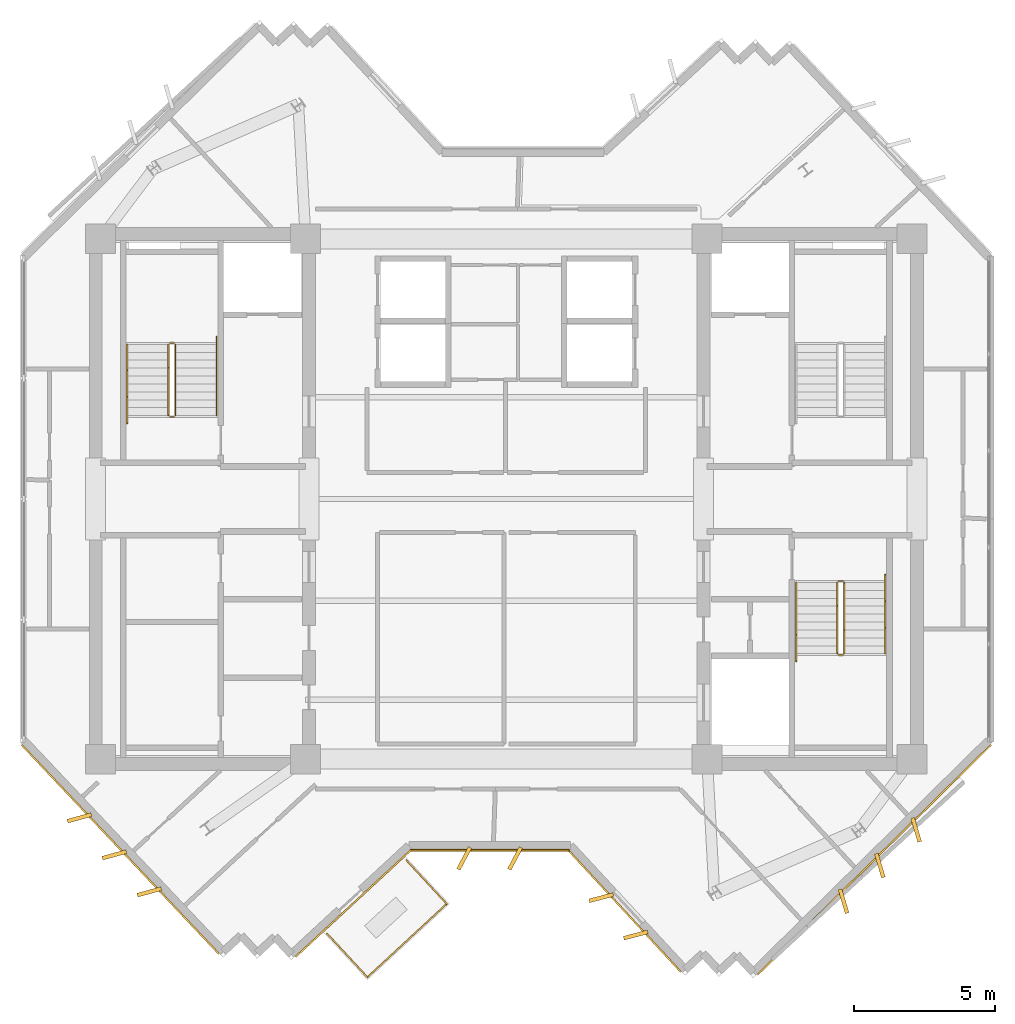
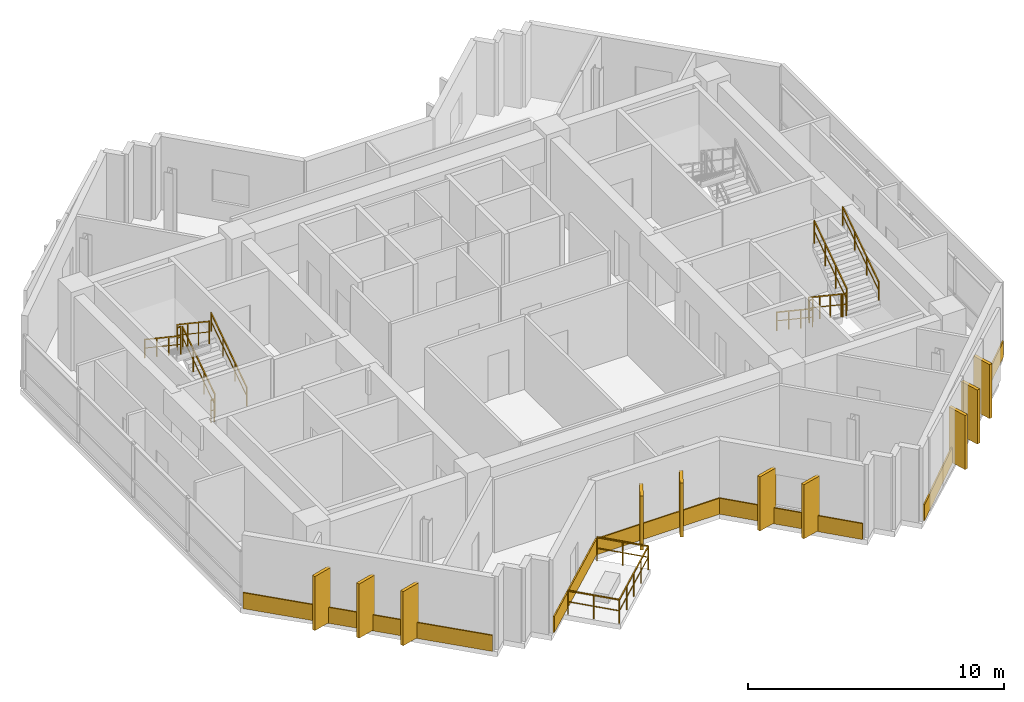
# One storey, part 8 of 9: 15 coverings, 15 railings.
"""IFC4 building model written with IfcOpenShell, lengths in metres."""

from ifc_helpers import new_model, si_unit, direction, frame, origin, origin_2d, place, context, subcontext, project, spatial, rectangle, extrude, source, transform, mapped, material, layer, layer_set, type_object, element, save


model = new_model("IFC4")

# Units and contexts
model_context = context("Model", 3, precision=1e-05, world=origin(), true_north=direction((0.0, 1.0)))
body_context = subcontext(model_context, "Body", "Model", "MODEL_VIEW")
ifc_project = project(units=[si_unit("LENGTHUNIT", "METRE"), si_unit("AREAUNIT", "SQUARE_METRE"), si_unit("VOLUMEUNIT", "CUBIC_METRE"), si_unit("PLANEANGLEUNIT", "RADIAN"), si_unit("MASSUNIT", "GRAM", prefix="KILO")], contexts=[model_context])

# Site, building, storey
site_placement = place(None, origin())
site = spatial("IfcSite", under=ifc_project, at=site_placement, CompositionType="ELEMENT")
building_placement = place(site_placement, origin())
building = spatial("IfcBuilding", under=site, at=building_placement, Name="Zahravan Cultural Tower", CompositionType="ELEMENT")
storey_placement = place(building_placement, frame((0.0, 0.0, 291.60009765625)))
storey = spatial("IfcBuildingStorey", under=building, at=storey_placement, Name="L70", CompositionType="ELEMENT", Elevation=291.60009765625)

# Railings
ifc_material_1 = material(Name="Steel ASTM A572 Grade 50", Category="steel")
railing_type_1 = type_object("IfcRailingType", Name="RL-BAL-1150", PredefinedType="BALUSTRADE", material=ifc_material_1)
railing_1_placement = place(storey_placement, frame((33.891845703125, 12.681640625, 0.0)))
element("IfcRailing", 1, at=railing_1_placement, inside=storey, type_object=railing_type_1, Name="L70 Edge Balustrade GRD-TR-L70-SW-01", PredefinedType="BALUSTRADE", context=body_context, shape_type="SweptSolid", body=[
    extrude(rectangle(XDim=0.05, YDim=0.05, at=origin_2d()), frame((0.0, 0.0, 1.125), z_axis=(-0.73411696243, -0.679023037512, 0.0), x_axis=(0.679023037512, -0.73411696243, 0.0)), (0.0, 0.0, 1.0), 3.81982421875),
    extrude(rectangle(XDim=0.032, YDim=0.032, at=origin_2d()), frame((0.0, 0.0, 0.597900390625), z_axis=(-0.73411696243, -0.679023037512, 0.0), x_axis=(0.679023037512, -0.73411696243, 0.0)), (0.0, 0.0, 1.0), 3.81982421875),
    extrude(rectangle(XDim=0.04, YDim=0.04, at=origin_2d()), origin(), (0.0, 0.0, 1.0), 1.14990234375),
    extrude(rectangle(XDim=0.04, YDim=0.04, at=origin_2d()), frame((-0.701171875, -0.6484375, 0.0)), (0.0, 0.0, 1.0), 1.14990234375),
    extrude(rectangle(XDim=0.04, YDim=0.04, at=origin_2d()), frame((-1.402099609375, -1.296875, 0.0)), (0.0, 0.0, 1.0), 1.14990234375),
    extrude(rectangle(XDim=0.04, YDim=0.04, at=origin_2d()), frame((-2.10302734375, -1.9453125, 0.0)), (0.0, 0.0, 1.0), 1.14990234375),
    extrude(rectangle(XDim=0.04, YDim=0.04, at=origin_2d()), frame((-2.80419921875, -2.59375, 0.0)), (0.0, 0.0, 1.0), 1.14990234375),
])
railing_2_placement = place(storey_placement, frame((31.087646484375, 10.087890625, 0.0)))
element("IfcRailing", 2, at=railing_2_placement, inside=storey, type_object=railing_type_1, Name="L70 Edge Balustrade GRD-TR-L70-SW-02", PredefinedType="BALUSTRADE", context=body_context, shape_type="SweptSolid", body=[
    extrude(rectangle(XDim=0.05, YDim=0.05, at=origin_2d()), frame((0.0, 0.0, 1.125), z_axis=(-0.679076439969, 0.73406756411, 0.0), x_axis=(-0.73406756411, -0.679076439969, 0.0)), (0.0, 0.0, 1.0), 2.099853515625),
    extrude(rectangle(XDim=0.032, YDim=0.032, at=origin_2d()), frame((0.0, 0.0, 0.597900390625), z_axis=(-0.679076439969, 0.73406756411, 0.0), x_axis=(-0.73406756411, -0.679076439969, 0.0)), (0.0, 0.0, 1.0), 2.099853515625),
    extrude(rectangle(XDim=0.04, YDim=0.04, at=origin_2d()), origin(), (0.0, 0.0, 1.0), 1.14990234375),
    extrude(rectangle(XDim=0.04, YDim=0.04, at=origin_2d()), frame((-0.712890625, 0.770751953125, 0.0)), (0.0, 0.0, 1.0), 1.14990234375),
    extrude(rectangle(XDim=0.04, YDim=0.04, at=origin_2d()), frame((-1.426025390625, 1.54150390625, 0.0)), (0.0, 0.0, 1.0), 1.14990234375),
])
railing_3_placement = place(storey_placement, frame((32.4658203125, 14.223388671875, 0.0)))
element("IfcRailing", 3, at=railing_3_placement, inside=storey, type_object=railing_type_1, Name="L70 Edge Balustrade GRD-TR-L70-SW-03", PredefinedType="BALUSTRADE", context=body_context, shape_type="SweptSolid", body=[
    extrude(rectangle(XDim=0.05, YDim=0.05, at=origin_2d()), frame((0.0, 0.0, 1.125), z_axis=(0.679018488434, -0.734121170084, 0.0), x_axis=(0.734121170084, 0.679018488434, 0.0)), (0.0, 0.0, 1.0), 2.10009765625),
    extrude(rectangle(XDim=0.032, YDim=0.032, at=origin_2d()), frame((0.0, 0.0, 0.597900390625), z_axis=(0.679018488434, -0.734121170084, 0.0), x_axis=(0.734121170084, 0.679018488434, 0.0)), (0.0, 0.0, 1.0), 2.10009765625),
    extrude(rectangle(XDim=0.04, YDim=0.04, at=origin_2d()), origin(), (0.0, 0.0, 1.0), 1.14990234375),
    extrude(rectangle(XDim=0.04, YDim=0.04, at=origin_2d()), frame((0.712890625, -0.77099609375, 0.0)), (0.0, 0.0, 1.0), 1.14990234375),
    extrude(rectangle(XDim=0.04, YDim=0.04, at=origin_2d()), frame((1.426025390625, -1.541748046875, 0.0)), (0.0, 0.0, 1.0), 1.14990234375),
])
railing_type_2 = type_object("IfcRailingType", Name="RL-STAIR-GRD1150", PredefinedType="BALUSTRADE", material=ifc_material_1)
railing_4_placement = place(storey_placement, frame((24.300048828125, 29.949951171875, 0.1875)))
element("IfcRailing", 4, at=railing_4_placement, inside=storey, type_object=railing_type_2, Name="L70 ST-W1 stair guard 1", PredefinedType="BALUSTRADE", context=body_context, shape_type="SweptSolid", body=[
    extrude(rectangle(XDim=0.05, YDim=0.05, at=origin_2d()), frame((0.0, 0.0, 1.0751953125), z_axis=(0.0, 0.830909170722, 0.55640807867), x_axis=(-1.0, 0.0, 0.0)), (0.0, 0.0, 1.0), 3.032958984375),
    extrude(rectangle(XDim=0.032, YDim=0.032, at=origin_2d()), frame((0.0, 0.0, 0.572021484375), z_axis=(0.0, 0.830909170722, 0.55640807867), x_axis=(-1.0, 0.0, 0.0)), (0.0, 0.0, 1.0), 3.032958984375),
    extrude(rectangle(XDim=0.04, YDim=0.04, at=origin_2d()), origin(), (0.0, 0.0, 1.0), 1.10009765625),
    extrude(rectangle(XDim=0.04, YDim=0.04, at=origin_2d()), frame((0.0, 0.840087890625, 0.5625)), (0.0, 0.0, 1.0), 1.10009765625),
    extrude(rectangle(XDim=0.04, YDim=0.04, at=origin_2d()), frame((0.0, 1.679931640625, 1.125)), (0.0, 0.0, 1.0), 1.10009765625),
    extrude(rectangle(XDim=0.04, YDim=0.04, at=origin_2d()), frame((0.0, 2.52001953125, 1.6875)), (0.0, 0.0, 1.0), 1.10009765625),
])
railing_5_placement = place(storey_placement, frame((24.25, 32.52001953125, 1.875)))
element("IfcRailing", 5, at=railing_5_placement, inside=storey, type_object=railing_type_2, Name="L70 ST-W1 stair guard 2", PredefinedType="BALUSTRADE", context=body_context, shape_type="SweptSolid", body=[
    extrude(rectangle(XDim=0.05, YDim=0.05, at=origin_2d()), frame((0.0, 0.0, 1.0751953125), z_axis=(-1.0, 0.0, 0.0), x_axis=(0.0, -1.0, 0.0)), (0.0, 0.0, 1.0), 0.14990234375),
    extrude(rectangle(XDim=0.032, YDim=0.032, at=origin_2d()), frame((0.0, 0.0, 0.572021484375), z_axis=(-1.0, 0.0, 0.0), x_axis=(0.0, -1.0, 0.0)), (0.0, 0.0, 1.0), 0.14990234375),
    extrude(rectangle(XDim=0.04, YDim=0.04, at=origin_2d()), origin(), (0.0, 0.0, 1.0), 1.10009765625),
    extrude(rectangle(XDim=0.04, YDim=0.04, at=origin_2d()), frame((-0.14990234375, 0.0, 0.0)), (0.0, 0.0, 1.0), 1.10009765625),
])
railing_6_placement = place(storey_placement, frame((24.050048828125, 32.469970703125, 2.0625)))
element("IfcRailing", 6, at=railing_6_placement, inside=storey, type_object=railing_type_2, Name="L70 ST-W1 stair guard 3", PredefinedType="BALUSTRADE", context=body_context, shape_type="SweptSolid", body=[
    extrude(rectangle(XDim=0.05, YDim=0.05, at=origin_2d()), frame((0.0, 0.0, 1.0751953125), z_axis=(0.0, -0.830909170722, 0.55640807867), x_axis=(1.0, 0.0, 0.0)), (0.0, 0.0, 1.0), 3.032958984375),
    extrude(rectangle(XDim=0.032, YDim=0.032, at=origin_2d()), frame((0.0, 0.0, 0.572021484375), z_axis=(0.0, -0.830909170722, 0.55640807867), x_axis=(1.0, 0.0, 0.0)), (0.0, 0.0, 1.0), 3.032958984375),
    extrude(rectangle(XDim=0.04, YDim=0.04, at=origin_2d()), origin(), (0.0, 0.0, 1.0), 1.10009765625),
    extrude(rectangle(XDim=0.04, YDim=0.04, at=origin_2d()), frame((0.0, -0.840087890625, 0.5625)), (0.0, 0.0, 1.0), 1.10009765625),
    extrude(rectangle(XDim=0.04, YDim=0.04, at=origin_2d()), frame((0.0, -1.679931640625, 1.125)), (0.0, 0.0, 1.0), 1.10009765625),
    extrude(rectangle(XDim=0.04, YDim=0.04, at=origin_2d()), frame((0.0, -2.52001953125, 1.6875)), (0.0, 0.0, 1.0), 1.10009765625),
])
railing_7_placement = place(storey_placement, frame((24.25, 29.89990234375, 0.0)))
element("IfcRailing", 7, at=railing_7_placement, inside=storey, type_object=railing_type_2, Name="L70 ST-W1 stair guard 4", PredefinedType="BALUSTRADE", context=body_context, shape_type="SweptSolid", body=[
    extrude(rectangle(XDim=0.05, YDim=0.05, at=origin_2d()), frame((0.0, 0.0, 1.0751953125), z_axis=(-1.0, 0.0, 0.0), x_axis=(0.0, -1.0, 0.0)), (0.0, 0.0, 1.0), 0.14990234375),
    extrude(rectangle(XDim=0.032, YDim=0.032, at=origin_2d()), frame((0.0, 0.0, 0.572021484375), z_axis=(-1.0, 0.0, 0.0), x_axis=(0.0, -1.0, 0.0)), (0.0, 0.0, 1.0), 0.14990234375),
    extrude(rectangle(XDim=0.04, YDim=0.04, at=origin_2d()), origin(), (0.0, 0.0, 1.0), 1.10009765625),
    extrude(rectangle(XDim=0.04, YDim=0.04, at=origin_2d()), frame((-0.14990234375, 0.0, 0.0)), (0.0, 0.0, 1.0), 1.10009765625),
])
railing_8_placement = place(storey_placement, frame((47.699951171875, 24.050048828125, 0.1875)))
element("IfcRailing", 8, at=railing_8_placement, inside=storey, type_object=railing_type_2, Name="L70 ST-E2 stair guard 1", PredefinedType="BALUSTRADE", context=body_context, shape_type="SweptSolid", body=[
    extrude(rectangle(XDim=0.05, YDim=0.05, at=origin_2d()), frame((0.0, 0.0, 1.0751953125), z_axis=(0.0, -0.830909170722, 0.55640807867), x_axis=(1.0, 0.0, 0.0)), (0.0, 0.0, 1.0), 3.032958984375),
    extrude(rectangle(XDim=0.032, YDim=0.032, at=origin_2d()), frame((0.0, 0.0, 0.572021484375), z_axis=(0.0, -0.830909170722, 0.55640807867), x_axis=(1.0, 0.0, 0.0)), (0.0, 0.0, 1.0), 3.032958984375),
    extrude(rectangle(XDim=0.04, YDim=0.04, at=origin_2d()), origin(), (0.0, 0.0, 1.0), 1.10009765625),
    extrude(rectangle(XDim=0.04, YDim=0.04, at=origin_2d()), frame((0.0, -0.840087890625, 0.5625)), (0.0, 0.0, 1.0), 1.10009765625),
    extrude(rectangle(XDim=0.04, YDim=0.04, at=origin_2d()), frame((0.0, -1.679931640625, 1.125)), (0.0, 0.0, 1.0), 1.10009765625),
    extrude(rectangle(XDim=0.04, YDim=0.04, at=origin_2d()), frame((0.0, -2.52001953125, 1.6875)), (0.0, 0.0, 1.0), 1.10009765625),
])
railing_9_placement = place(storey_placement, frame((47.75, 21.47998046875, 1.875)))
element("IfcRailing", 9, at=railing_9_placement, inside=storey, type_object=railing_type_2, Name="L70 ST-E2 stair guard 2", PredefinedType="BALUSTRADE", context=body_context, shape_type="SweptSolid", body=[
    extrude(rectangle(XDim=0.05, YDim=0.05, at=origin_2d()), frame((0.0, 0.0, 1.0751953125), z_axis=(1.0, 0.0, 0.0), x_axis=(0.0, 1.0, 0.0)), (0.0, 0.0, 1.0), 0.14990234375),
    extrude(rectangle(XDim=0.032, YDim=0.032, at=origin_2d()), frame((0.0, 0.0, 0.572021484375), z_axis=(1.0, 0.0, 0.0), x_axis=(0.0, 1.0, 0.0)), (0.0, 0.0, 1.0), 0.14990234375),
    extrude(rectangle(XDim=0.04, YDim=0.04, at=origin_2d()), origin(), (0.0, 0.0, 1.0), 1.10009765625),
    extrude(rectangle(XDim=0.04, YDim=0.04, at=origin_2d()), frame((0.14990234375, 0.0, 0.0)), (0.0, 0.0, 1.0), 1.10009765625),
])
railing_10_placement = place(storey_placement, frame((47.949951171875, 21.530029296875, 2.0625)))
element("IfcRailing", 10, at=railing_10_placement, inside=storey, type_object=railing_type_2, Name="L70 ST-E2 stair guard 3", PredefinedType="BALUSTRADE", context=body_context, shape_type="SweptSolid", body=[
    extrude(rectangle(XDim=0.05, YDim=0.05, at=origin_2d()), frame((0.0, 0.0, 1.0751953125), z_axis=(0.0, 0.830909170722, 0.55640807867), x_axis=(-1.0, 0.0, 0.0)), (0.0, 0.0, 1.0), 3.032958984375),
    extrude(rectangle(XDim=0.032, YDim=0.032, at=origin_2d()), frame((0.0, 0.0, 0.572021484375), z_axis=(0.0, 0.830909170722, 0.55640807867), x_axis=(-1.0, 0.0, 0.0)), (0.0, 0.0, 1.0), 3.032958984375),
    extrude(rectangle(XDim=0.04, YDim=0.04, at=origin_2d()), origin(), (0.0, 0.0, 1.0), 1.10009765625),
    extrude(rectangle(XDim=0.04, YDim=0.04, at=origin_2d()), frame((0.0, 0.840087890625, 0.5625)), (0.0, 0.0, 1.0), 1.10009765625),
    extrude(rectangle(XDim=0.04, YDim=0.04, at=origin_2d()), frame((0.0, 1.679931640625, 1.125)), (0.0, 0.0, 1.0), 1.10009765625),
    extrude(rectangle(XDim=0.04, YDim=0.04, at=origin_2d()), frame((0.0, 2.52001953125, 1.6875)), (0.0, 0.0, 1.0), 1.10009765625),
])
railing_11_placement = place(storey_placement, frame((47.75, 24.10009765625, 0.0)))
element("IfcRailing", 11, at=railing_11_placement, inside=storey, type_object=railing_type_2, Name="L70 ST-E2 stair guard 4", PredefinedType="BALUSTRADE", context=body_context, shape_type="SweptSolid", body=[
    extrude(rectangle(XDim=0.05, YDim=0.05, at=origin_2d()), frame((0.0, 0.0, 1.0751953125), z_axis=(1.0, 0.0, 0.0), x_axis=(0.0, 1.0, 0.0)), (0.0, 0.0, 1.0), 0.14990234375),
    extrude(rectangle(XDim=0.032, YDim=0.032, at=origin_2d()), frame((0.0, 0.0, 0.572021484375), z_axis=(1.0, 0.0, 0.0), x_axis=(0.0, 1.0, 0.0)), (0.0, 0.0, 1.0), 0.14990234375),
    extrude(rectangle(XDim=0.04, YDim=0.04, at=origin_2d()), origin(), (0.0, 0.0, 1.0), 1.10009765625),
    extrude(rectangle(XDim=0.04, YDim=0.04, at=origin_2d()), frame((0.14990234375, 0.0, 0.0)), (0.0, 0.0, 1.0), 1.10009765625),
])
railing_type_3 = type_object("IfcRailingType", Name="RL-STAIR-HR900", PredefinedType="HANDRAIL", material=ifc_material_1)
railing_12_placement = place(storey_placement, frame((25.75, 29.949951171875, 0.1875)))
element("IfcRailing", 12, at=railing_12_placement, inside=storey, type_object=railing_type_3, Name="L70 ST-W1 stair handrail 1", PredefinedType="HANDRAIL", context=body_context, shape_type="SweptSolid", body=[
    extrude(rectangle(XDim=0.05, YDim=0.05, at=origin_2d()), frame((0.0, 0.0, 0.875), z_axis=(0.0, 0.830911662861, 0.55640435703), x_axis=(-1.0, 0.0, 0.0)), (0.0, 0.0, 1.0), 3.369873046875),
    extrude(rectangle(XDim=0.032, YDim=0.032, at=origin_2d()), frame((0.0, 0.0, 0.468017578125), z_axis=(0.0, 0.830911662861, 0.55640435703), x_axis=(-1.0, 0.0, 0.0)), (0.0, 0.0, 1.0), 3.369873046875),
    extrude(rectangle(XDim=0.04, YDim=0.04, at=origin_2d()), origin(), (0.0, 0.0, 1.0), 0.89990234375),
    extrude(rectangle(XDim=0.04, YDim=0.04, at=origin_2d()), frame((0.0, 0.933349609375, 0.625)), (0.0, 0.0, 1.0), 0.89990234375),
    extrude(rectangle(XDim=0.04, YDim=0.04, at=origin_2d()), frame((0.0, 1.86669921875, 1.25)), (0.0, 0.0, 1.0), 0.89990234375),
    extrude(rectangle(XDim=0.04, YDim=0.04, at=origin_2d()), frame((0.0, 2.800048828125, 1.875)), (0.0, 0.0, 1.0), 0.89990234375),
])
for number, where, name in (
    (13, (22.60009765625, 32.469970703125, 2.0625), "L70 ST-W1 stair handrail 2"),
    (14, (46.25, 24.050048828125, 0.1875), "L70 ST-E2 stair handrail 1"),
):
    element("IfcRailing", number, at=place(storey_placement, frame(where)), inside=storey, type_object=railing_type_3, Name=name, PredefinedType="HANDRAIL", context=body_context, shape_type="SweptSolid", body=[
        extrude(rectangle(XDim=0.05, YDim=0.05, at=origin_2d()), frame((0.0, 0.0, 0.875), z_axis=(0.0, -0.830911662861, 0.55640435703), x_axis=(1.0, 0.0, 0.0)), (0.0, 0.0, 1.0), 3.369873046875),
        extrude(rectangle(XDim=0.032, YDim=0.032, at=origin_2d()), frame((0.0, 0.0, 0.468017578125), z_axis=(0.0, -0.830911662861, 0.55640435703), x_axis=(1.0, 0.0, 0.0)), (0.0, 0.0, 1.0), 3.369873046875),
        extrude(rectangle(XDim=0.04, YDim=0.04, at=origin_2d()), origin(), (0.0, 0.0, 1.0), 0.89990234375),
        extrude(rectangle(XDim=0.04, YDim=0.04, at=origin_2d()), frame((0.0, -0.933349609375, 0.625)), (0.0, 0.0, 1.0), 0.89990234375),
        extrude(rectangle(XDim=0.04, YDim=0.04, at=origin_2d()), frame((0.0, -1.86669921875, 1.25)), (0.0, 0.0, 1.0), 0.89990234375),
        extrude(rectangle(XDim=0.04, YDim=0.04, at=origin_2d()), frame((0.0, -2.800048828125, 1.875)), (0.0, 0.0, 1.0), 0.89990234375),
    ])
railing_13_placement = place(storey_placement, frame((49.39990234375, 21.530029296875, 2.0625)))
element("IfcRailing", 15, at=railing_13_placement, inside=storey, type_object=railing_type_3, Name="L70 ST-E2 stair handrail 2", PredefinedType="HANDRAIL", context=body_context, shape_type="SweptSolid", body=[
    extrude(rectangle(XDim=0.05, YDim=0.05, at=origin_2d()), frame((0.0, 0.0, 0.875), z_axis=(0.0, 0.830911662861, 0.55640435703), x_axis=(-1.0, 0.0, 0.0)), (0.0, 0.0, 1.0), 3.369873046875),
    extrude(rectangle(XDim=0.032, YDim=0.032, at=origin_2d()), frame((0.0, 0.0, 0.468017578125), z_axis=(0.0, 0.830911662861, 0.55640435703), x_axis=(-1.0, 0.0, 0.0)), (0.0, 0.0, 1.0), 3.369873046875),
    extrude(rectangle(XDim=0.04, YDim=0.04, at=origin_2d()), origin(), (0.0, 0.0, 1.0), 0.89990234375),
    extrude(rectangle(XDim=0.04, YDim=0.04, at=origin_2d()), frame((0.0, 0.933349609375, 0.625)), (0.0, 0.0, 1.0), 0.89990234375),
    extrude(rectangle(XDim=0.04, YDim=0.04, at=origin_2d()), frame((0.0, 1.86669921875, 1.25)), (0.0, 0.0, 1.0), 0.89990234375),
    extrude(rectangle(XDim=0.04, YDim=0.04, at=origin_2d()), frame((0.0, 2.800048828125, 1.875)), (0.0, 0.0, 1.0), 0.89990234375),
])

# Coverings
ifc_material_2 = material(Name="Terracotta ceramic cladding", Category="masonry")
ifc_layer = layer(ifc_material_2, 0.06005859375)
ifc_layer_set = layer_set([ifc_layer], Name="Terracotta ceramic cladding")
covering_type = type_object("IfcCoveringType", Name="COV-CLAD-TC60", PredefinedType="CLADDING", material=ifc_layer_set)
shared_shape_1 = source(origin(), body_context, "Body", "SweptSolid", [
    extrude(rectangle(XDim=0.8798828125, YDim=0.139892578125, at=origin_2d()), origin(), (0.0, 0.0, 1.0), 2.580078125),
])
for number, where, z_axis, x_axis, name in (
    (16, (50.493408203125, 15.29931640625, 0.0498046875), (0.0, 0.0, 1.0), (0.284969073996, -0.958536711277, 0.0), "L70 Herringbone Terracotta Fin 06"),
    (17, (49.2109375, 14.03662109375, 0.0498046875), (0.0, 0.0, 1.0), (0.284969073996, -0.958536711277, 0.0), "L70 Herringbone Terracotta Fin 07"),
    (18, (47.92822265625, 12.773681640625, 0.0498046875), (0.0, 0.0, 1.0), (0.284969073996, -0.958536711277, 0.0), "L70 Herringbone Terracotta Fin 08"),
    (19, (40.57861328125, 11.57861328125, 0.0498046875), (0.0, 0.0, 1.0), (-0.966974802932, -0.254871988445, 0.0), "L70 Herringbone Terracotta Fin 09"),
    (20, (39.3564453125, 12.900146484375, 0.0498046875), (0.0, 0.0, 1.0), (-0.966974802932, -0.254871988445, 0.0), "L70 Herringbone Terracotta Fin 10"),
    (21, (36.310546875, 14.2900390625, 0.0498046875), (0.0, 0.0, 1.0), (-0.469471562786, -0.882947592859, 0.0), "L70 Herringbone Terracotta Fin 11"),
    (22, (34.510498046875, 14.2900390625, 0.0498046875), (0.0, 0.0, 1.0), (-0.469471562786, -0.882947592859, 0.0), "L70 Herringbone Terracotta Fin 12"),
    (23, (23.37451171875, 13.104736328125, 0.0498046875), (0.0, 0.0, 1.0), (-0.964336018232, -0.264681023006, 0.0), "L70 Herringbone Terracotta Fin 13"),
    (24, (22.138916015625, 14.413818359375, 0.0498046875), (0.0, 0.0, 1.0), (-0.964336018232, -0.264681023006, 0.0), "L70 Herringbone Terracotta Fin 14"),
    (25, (20.9033203125, 15.72265625, 0.0498046875), (0.0, 0.0, 1.0), (-0.964336018232, -0.264681023006, 0.0), "L70 Herringbone Terracotta Fin 15"),
):
    element("IfcCovering", number, at=place(storey_placement, frame(where, z_axis=z_axis, x_axis=x_axis)), inside=storey, type_object=covering_type, Name=name, PredefinedType="CLADDING", context=body_context, shape_type="MappedRepresentation", body=[
        mapped(shared_shape_1, transform((0.0, 0.0, 0.0), x_axis=(1.0, 0.0, 0.0), y_axis=(0.0, 1.0, 0.0), z_axis=(0.0, 0.0, 1.0), scale=1.0)),
    ])
shared_shape_2 = source(origin(), body_context, "Body", "SweptSolid", [
    extrude(rectangle(XDim=5.56494140625, YDim=0.06005859375, at=origin_2d()), origin(), (0.0, 0.0, 1.0), 0.760009765625),
])
covering_1_placement = place(storey_placement, frame((30.5859375, 12.695556640625, 0.02001953125), z_axis=(0.0, 0.0, 1.0), x_axis=(-0.73412107288, -0.679018593525, 0.0)))
element("IfcCovering", 26, at=covering_1_placement, inside=storey, type_object=covering_type, Name="L70 Terracotta Spandrel Cladding 14", PredefinedType="CLADDING", context=body_context, shape_type="MappedRepresentation", body=[
    mapped(shared_shape_2, transform((0.0, 0.0, 0.0), x_axis=(1.0, 0.0, 0.0), y_axis=(0.0, 1.0, 0.0), z_axis=(0.0, 0.0, 1.0), scale=1.0)),
])
shared_shape_3 = source(origin(), body_context, "Body", "SweptSolid", [
    extrude(rectangle(XDim=10.173583984375, YDim=0.06005859375, at=origin_2d()), origin(), (0.0, 0.0, 1.0), 0.760009765625),
])
covering_2_placement = place(storey_placement, frame((22.34619140625, 14.609375, 0.02001953125), z_axis=(0.0, 0.0, 1.0), x_axis=(-0.686427809669, 0.727197952495, 0.0)))
element("IfcCovering", 27, at=covering_2_placement, inside=storey, type_object=covering_type, Name="L70 Terracotta Spandrel Cladding 19", PredefinedType="CLADDING", context=body_context, shape_type="MappedRepresentation", body=[
    mapped(shared_shape_3, transform((0.0, 0.0, 0.0), x_axis=(1.0, 0.0, 0.0), y_axis=(0.0, 1.0, 0.0), z_axis=(0.0, 0.0, 1.0), scale=1.0)),
])
shared_shape_4 = source(origin(), body_context, "Body", "SweptSolid", [
    extrude(rectangle(XDim=11.589599609375, YDim=0.06005859375, at=origin_2d()), origin(), (0.0, 0.0, 1.0), 0.760009765625),
])
covering_3_placement = place(storey_placement, frame((49.010986328125, 14.239501953125, 0.02001953125), z_axis=(0.0, 0.0, 1.0), x_axis=(-0.712552805375, -0.701618485755, 0.0)))
element("IfcCovering", 28, at=covering_3_placement, inside=storey, type_object=covering_type, Name="L70 Terracotta Spandrel Cladding 07", PredefinedType="CLADDING", context=body_context, shape_type="MappedRepresentation", body=[
    mapped(shared_shape_4, transform((0.0, 0.0, 0.0), x_axis=(1.0, 0.0, 0.0), y_axis=(0.0, 1.0, 0.0), z_axis=(0.0, 0.0, 1.0), scale=1.0)),
])
shared_shape_5 = source(origin(), body_context, "Body", "SweptSolid", [
    extrude(rectangle(XDim=5.8798828125, YDim=0.06005859375, at=origin_2d()), origin(), (0.0, 0.0, 1.0), 0.760009765625),
])
covering_4_placement = place(storey_placement, frame((40.1767578125, 12.43310546875, 0.02001953125), z_axis=(0.0, 0.0, 1.0), x_axis=(-0.679005780592, 0.734132923879, 0.0)))
element("IfcCovering", 29, at=covering_4_placement, inside=storey, type_object=covering_type, Name="L70 Terracotta Spandrel Cladding 12", PredefinedType="CLADDING", context=body_context, shape_type="MappedRepresentation", body=[
    mapped(shared_shape_5, transform((0.0, 0.0, 0.0), x_axis=(1.0, 0.0, 0.0), y_axis=(0.0, 1.0, 0.0), z_axis=(0.0, 0.0, 1.0), scale=1.0)),
])
shared_shape_6 = source(origin(), body_context, "Body", "SweptSolid", [
    extrude(rectangle(XDim=5.614501953125, YDim=0.06005859375, at=origin_2d()), origin(), (0.0, 0.0, 1.0), 0.760009765625),
])
covering_5_placement = place(storey_placement, frame((35.410400390625, 14.574951171875, 0.02001953125), z_axis=(0.0, 0.0, 1.0), x_axis=(-1.0, 0.0, 0.0)))
element("IfcCovering", 30, at=covering_5_placement, inside=storey, type_object=covering_type, Name="L70 Terracotta Spandrel Cladding 13", PredefinedType="CLADDING", context=body_context, shape_type="MappedRepresentation", body=[
    mapped(shared_shape_6, transform((0.0, 0.0, 0.0), x_axis=(1.0, 0.0, 0.0), y_axis=(0.0, 1.0, 0.0), z_axis=(0.0, 0.0, 1.0), scale=1.0)),
])

save(model, "model.ifc")
